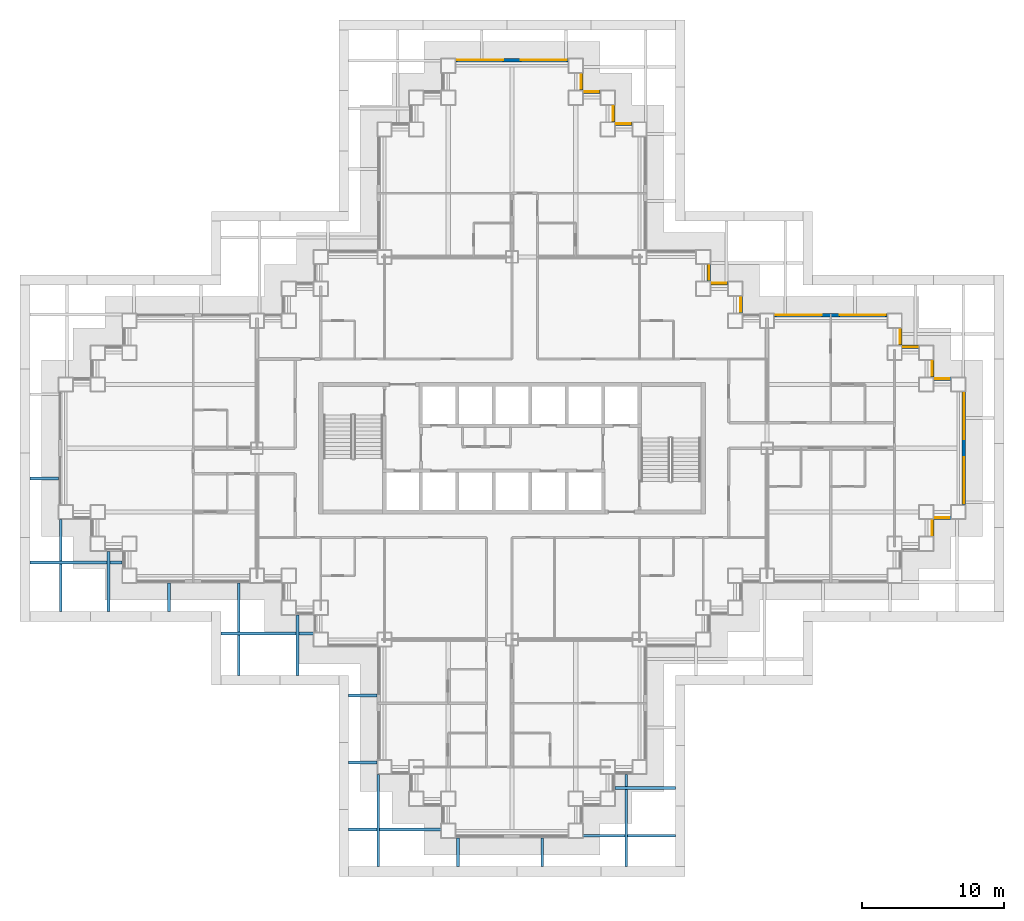
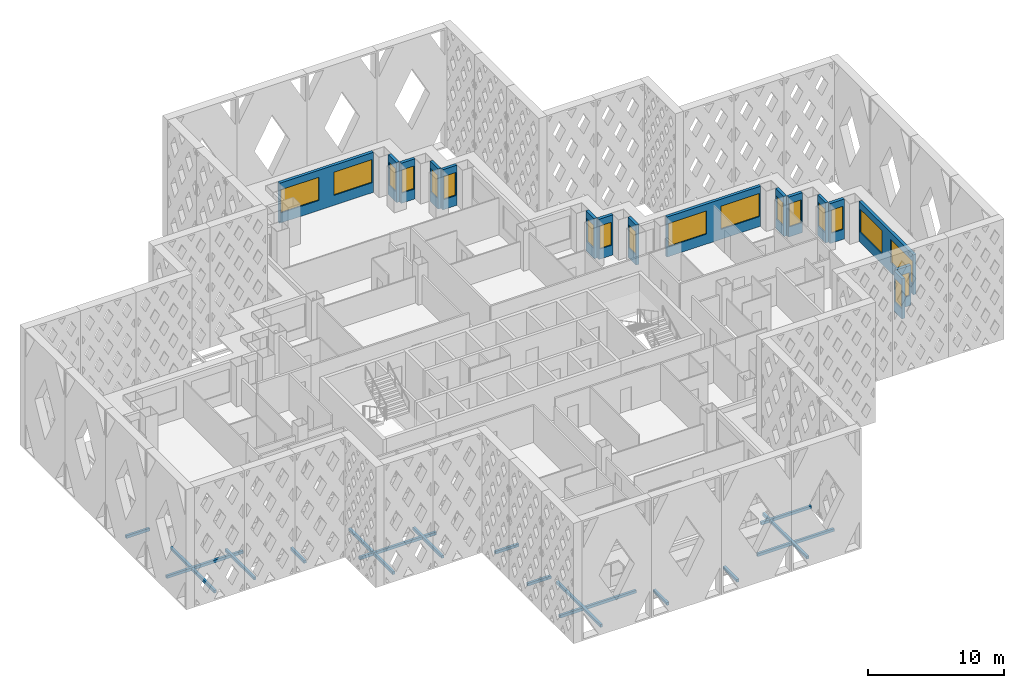
# One storey, part 9 of 19: 19 windows, 17 discrete accessories, 16 walls, 19 openings.
"""IFC4 building model written with IfcOpenShell, lengths in metres."""

from ifc_helpers import new_model, si_unit, direction, frame, frame_2d, origin, origin_2d, place, context, subcontext, project, spatial, rectangle, extrude, material, layer, layer_set, type_object, element, fill, save


model = new_model("IFC4")

# Units and contexts
model_context = context("Model", 3, precision=1e-05, world=origin(), true_north=direction((0.0, 1.0)))
body_context = subcontext(model_context, "Body", "Model", "MODEL_VIEW")
ifc_project = project(units=[si_unit("LENGTHUNIT", "METRE"), si_unit("AREAUNIT", "SQUARE_METRE"), si_unit("VOLUMEUNIT", "CUBIC_METRE"), si_unit("PLANEANGLEUNIT", "RADIAN"), si_unit("MASSUNIT", "GRAM", prefix="KILO")], contexts=[model_context])

# Site, building, storey
site_placement = place(None, origin())
site = spatial("IfcSite", under=ifc_project, at=site_placement, CompositionType="ELEMENT")
building_placement = place(site_placement, origin())
building = spatial("IfcBuilding", under=site, at=building_placement, Name="Caravel Reach Hotel and Residences", CompositionType="ELEMENT")
storey_placement = place(building_placement, frame((0.0, 0.0, 52.800048828125)))
storey = spatial("IfcBuildingStorey", under=building, at=storey_placement, Name="L11", CompositionType="ELEMENT", Elevation=52.800048828125)

# Wall, opening, window
ifc_material_1 = material(Name="Insulated rainscreen wall, aluminium cladding", Category="aluminium")
ifc_layer = layer(ifc_material_1, 0.25)
ifc_layer_set = layer_set([ifc_layer], Name="EW1 Tower rainscreen wall")
wall_type = type_object("IfcWallType", Name="EW1 Tower rainscreen wall", PredefinedType="SOLIDWALL", material=ifc_layer_set)
wall_1_placement = place(storey_placement, frame((61.14990234375, 20.77490234375, 0.0), z_axis=(0.0, 0.0, 1.0), x_axis=(0.0, 1.0, 0.0)))
wall_1 = element("IfcWall", 1, at=wall_1_placement, inside=storey, type_object=wall_type, Name="External wall L11 E18.1", PredefinedType="SOLIDWALL", context=body_context, shape_type="SweptSolid", body=[
    extrude(rectangle(XDim=1.2001953125, YDim=0.25, at=frame_2d((0.60009765625, 0.0))), origin(), (0.0, 0.0, 1.0), 3.599853515625),
])
opening_1_placement = place(wall_1_placement, frame((0.10009765625, 0.0, 0.89990234375)))
opening_1 = element("IfcOpeningElement", 2, at=opening_1_placement, cuts=wall_1, Name="Opening WN1", PredefinedType="OPENING", context=body_context, shape_type="SweptSolid", body=[
    extrude(rectangle(XDim=1.0, YDim=2.080078125, at=frame_2d((0.5, 1.0400390625))), frame((0.0, 0.135009765625, 0.0), z_axis=(0.0, -1.0, 0.0), x_axis=(1.0, 0.0, 0.0)), (0.0, 0.0, 1.0), 0.27001953125),
])
ifc_material_2 = material(Name="Dark low-e glazing in black aluminium frame", Category="aluminium")
window_type_1 = type_object("IfcWindowType", Name="Hotel suite corner window 1000 x 2080", PartitioningType="SINGLE_PANEL", PredefinedType="WINDOW", material=ifc_material_2)
window_1_placement = place(opening_1_placement, origin())
window_1 = element("IfcWindow", 3, at=window_1_placement, inside=storey, type_object=window_type_1, Name="Window L11 E18.1.1", OverallHeight=2.080078125, OverallWidth=1.0, PartitioningType="SINGLE_PANEL", PredefinedType="WINDOW", context=body_context, shape_type="SweptSolid", body=[
    extrude(rectangle(XDim=1.0, YDim=2.080078125, at=frame_2d((0.5, 1.0400390625))), frame((0.0, 0.030029296875, 0.0), z_axis=(0.0, -1.0, 0.0), x_axis=(1.0, 0.0, 0.0)), (0.0, 0.0, 1.0), 0.06005859375),
])
fill(opening_1, window_1)

wall_2_placement = place(storey_placement, frame((61.27490234375, 22.10009765625, 0.0), z_axis=(0.0, 0.0, 1.0), x_axis=(1.0, 0.0, 0.0)))
wall_2 = element("IfcWall", 4, at=wall_2_placement, inside=storey, type_object=wall_type, Name="External wall L11 S19.1", PredefinedType="SOLIDWALL", context=body_context, shape_type="SweptSolid", body=[
    extrude(rectangle(XDim=1.2001953125, YDim=0.25, at=frame_2d((0.60009765625, 0.0))), origin(), (0.0, 0.0, 1.0), 3.599853515625),
])
opening_2_placement = place(wall_2_placement, frame((0.10009765625, 0.0, 0.89990234375)))
opening_2 = element("IfcOpeningElement", 5, at=opening_2_placement, cuts=wall_2, Name="Opening WN1", PredefinedType="OPENING", context=body_context, shape_type="SweptSolid", body=[
    extrude(rectangle(XDim=1.0, YDim=2.080078125, at=frame_2d((0.5, 1.0400390625))), frame((0.0, 0.135009765625, 0.0), z_axis=(0.0, -1.0, 0.0), x_axis=(1.0, 0.0, 0.0)), (0.0, 0.0, 1.0), 0.27001953125),
])
window_2_placement = place(opening_2_placement, origin())
window_2 = element("IfcWindow", 6, at=window_2_placement, inside=storey, type_object=window_type_1, Name="Window L11 S19.1.1", OverallHeight=2.080078125, OverallWidth=1.0, PartitioningType="SINGLE_PANEL", PredefinedType="WINDOW", context=body_context, shape_type="SweptSolid", body=[
    extrude(rectangle(XDim=1.0, YDim=2.080078125, at=frame_2d((0.5, 1.0400390625))), frame((0.0, 0.030029296875, 0.0), z_axis=(0.0, -1.0, 0.0), x_axis=(1.0, 0.0, 0.0)), (0.0, 0.0, 1.0), 0.06005859375),
])
fill(opening_2, window_2)

# Wall, openings, windows
wall_3_placement = place(storey_placement, frame((63.39990234375, 23.02490234375, 0.0), z_axis=(0.0, 0.0, 1.0), x_axis=(0.0, 1.0, 0.0)))
wall_3 = element("IfcWall", 7, at=wall_3_placement, inside=storey, type_object=wall_type, Name="External wall L11 E20.1", PredefinedType="SOLIDWALL", context=body_context, shape_type="SweptSolid", body=[
    extrude(rectangle(XDim=7.9501953125, YDim=0.25, at=frame_2d((3.97509765625, 0.0))), origin(), (0.0, 0.0, 1.0), 3.599853515625),
])
opening_3_placement = place(wall_3_placement, frame((0.10009765625, 0.0, 0.89990234375)))
opening_3 = element("IfcOpeningElement", 8, at=opening_3_placement, cuts=wall_3, Name="Opening WN2", PredefinedType="OPENING", context=body_context, shape_type="SweptSolid", body=[
    extrude(rectangle(XDim=3.25, YDim=2.080078125, at=frame_2d((1.625, 1.0400390625))), frame((0.0, 0.135009765625, 0.0), z_axis=(0.0, -1.0, 0.0), x_axis=(1.0, 0.0, 0.0)), (0.0, 0.0, 1.0), 0.27001953125),
])
opening_4_placement = place(wall_3_placement, frame((4.60009765625, 0.0, 0.89990234375)))
opening_4 = element("IfcOpeningElement", 9, at=opening_4_placement, cuts=wall_3, Name="Opening WN2", PredefinedType="OPENING", context=body_context, shape_type="SweptSolid", body=[
    extrude(rectangle(XDim=3.25, YDim=2.080078125, at=frame_2d((1.625, 1.0400390625))), frame((0.0, 0.135009765625, 0.0), z_axis=(0.0, -1.0, 0.0), x_axis=(1.0, 0.0, 0.0)), (0.0, 0.0, 1.0), 0.27001953125),
])
ifc_material_3 = material(Name="Dark low-e glazing in black aluminium frame", Category="aluminium")
window_type_2 = type_object("IfcWindowType", Name="Hotel guest room window 3250 x 2080", PartitioningType="SINGLE_PANEL", PredefinedType="WINDOW", material=ifc_material_3)
window_3_placement = place(opening_3_placement, origin())
window_3 = element("IfcWindow", 10, at=window_3_placement, inside=storey, type_object=window_type_2, Name="Window L11 E20.1.1", OverallHeight=2.080078125, OverallWidth=3.25, PartitioningType="SINGLE_PANEL", PredefinedType="WINDOW", context=body_context, shape_type="SweptSolid", body=[
    extrude(rectangle(XDim=3.25, YDim=2.080078125, at=frame_2d((1.625, 1.0400390625))), frame((0.0, 0.030029296875, 0.0), z_axis=(0.0, -1.0, 0.0), x_axis=(1.0, 0.0, 0.0)), (0.0, 0.0, 1.0), 0.06005859375),
])
fill(opening_3, window_3)
window_4_placement = place(opening_4_placement, origin())
window_4 = element("IfcWindow", 11, at=window_4_placement, inside=storey, type_object=window_type_2, Name="Window L11 E20.1.2", OverallHeight=2.080078125, OverallWidth=3.25, PartitioningType="SINGLE_PANEL", PredefinedType="WINDOW", context=body_context, shape_type="SweptSolid", body=[
    extrude(rectangle(XDim=3.25, YDim=2.080078125, at=frame_2d((1.625, 1.0400390625))), frame((0.0, 0.030029296875, 0.0), z_axis=(0.0, -1.0, 0.0), x_axis=(1.0, 0.0, 0.0)), (0.0, 0.0, 1.0), 0.06005859375),
])
fill(opening_4, window_4)

# Wall, opening, window
wall_4_placement = place(storey_placement, frame((62.47509765625, 31.89990234375, 0.0), z_axis=(0.0, 0.0, 1.0), x_axis=(-1.0, 0.0, 0.0)))
wall_4 = element("IfcWall", 12, at=wall_4_placement, inside=storey, type_object=wall_type, Name="External wall L11 N21.1", PredefinedType="SOLIDWALL", context=body_context, shape_type="SweptSolid", body=[
    extrude(rectangle(XDim=1.2001953125, YDim=0.25, at=frame_2d((0.60009765625, 0.0))), origin(), (0.0, 0.0, 1.0), 3.599853515625),
])
opening_5_placement = place(wall_4_placement, frame((0.10009765625, 0.0, 0.89990234375)))
opening_5 = element("IfcOpeningElement", 13, at=opening_5_placement, cuts=wall_4, Name="Opening WN1", PredefinedType="OPENING", context=body_context, shape_type="SweptSolid", body=[
    extrude(rectangle(XDim=1.0, YDim=2.080078125, at=frame_2d((0.5, 1.0400390625))), frame((0.0, 0.135009765625, 0.0), z_axis=(0.0, -1.0, 0.0), x_axis=(1.0, 0.0, 0.0)), (0.0, 0.0, 1.0), 0.27001953125),
])
window_5_placement = place(opening_5_placement, origin())
window_5 = element("IfcWindow", 14, at=window_5_placement, inside=storey, type_object=window_type_1, Name="Window L11 N21.1.1", OverallHeight=2.080078125, OverallWidth=1.0, PartitioningType="SINGLE_PANEL", PredefinedType="WINDOW", context=body_context, shape_type="SweptSolid", body=[
    extrude(rectangle(XDim=1.0, YDim=2.080078125, at=frame_2d((0.5, 1.0400390625))), frame((0.0, 0.030029296875, 0.0), z_axis=(0.0, -1.0, 0.0), x_axis=(1.0, 0.0, 0.0)), (0.0, 0.0, 1.0), 0.06005859375),
])
fill(opening_5, window_5)

wall_5_placement = place(storey_placement, frame((61.14990234375, 32.02490234375, 0.0), z_axis=(0.0, 0.0, 1.0), x_axis=(0.0, 1.0, 0.0)))
wall_5 = element("IfcWall", 15, at=wall_5_placement, inside=storey, type_object=wall_type, Name="External wall L11 E22.1", PredefinedType="SOLIDWALL", context=body_context, shape_type="SweptSolid", body=[
    extrude(rectangle(XDim=1.2001953125, YDim=0.25, at=frame_2d((0.60009765625, 0.0))), origin(), (0.0, 0.0, 1.0), 3.599853515625),
])
opening_6_placement = place(wall_5_placement, frame((0.10009765625, 0.0, 0.89990234375)))
opening_6 = element("IfcOpeningElement", 16, at=opening_6_placement, cuts=wall_5, Name="Opening WN1", PredefinedType="OPENING", context=body_context, shape_type="SweptSolid", body=[
    extrude(rectangle(XDim=1.0, YDim=2.080078125, at=frame_2d((0.5, 1.0400390625))), frame((0.0, 0.135009765625, 0.0), z_axis=(0.0, -1.0, 0.0), x_axis=(1.0, 0.0, 0.0)), (0.0, 0.0, 1.0), 0.27001953125),
])
window_6_placement = place(opening_6_placement, origin())
window_6 = element("IfcWindow", 17, at=window_6_placement, inside=storey, type_object=window_type_1, Name="Window L11 E22.1.1", OverallHeight=2.080078125, OverallWidth=1.0, PartitioningType="SINGLE_PANEL", PredefinedType="WINDOW", context=body_context, shape_type="SweptSolid", body=[
    extrude(rectangle(XDim=1.0, YDim=2.080078125, at=frame_2d((0.5, 1.0400390625))), frame((0.0, 0.030029296875, 0.0), z_axis=(0.0, -1.0, 0.0), x_axis=(1.0, 0.0, 0.0)), (0.0, 0.0, 1.0), 0.06005859375),
])
fill(opening_6, window_6)

wall_6_placement = place(storey_placement, frame((60.22509765625, 34.14990234375, 0.0), z_axis=(0.0, 0.0, 1.0), x_axis=(-1.0, 0.0, 0.0)))
wall_6 = element("IfcWall", 18, at=wall_6_placement, inside=storey, type_object=wall_type, Name="External wall L11 N23.1", PredefinedType="SOLIDWALL", context=body_context, shape_type="SweptSolid", body=[
    extrude(rectangle(XDim=1.2001953125, YDim=0.25, at=frame_2d((0.60009765625, 0.0))), origin(), (0.0, 0.0, 1.0), 3.599853515625),
])
opening_7_placement = place(wall_6_placement, frame((0.10009765625, 0.0, 0.89990234375)))
opening_7 = element("IfcOpeningElement", 19, at=opening_7_placement, cuts=wall_6, Name="Opening WN1", PredefinedType="OPENING", context=body_context, shape_type="SweptSolid", body=[
    extrude(rectangle(XDim=1.0, YDim=2.080078125, at=frame_2d((0.5, 1.0400390625))), frame((0.0, 0.135009765625, 0.0), z_axis=(0.0, -1.0, 0.0), x_axis=(1.0, 0.0, 0.0)), (0.0, 0.0, 1.0), 0.27001953125),
])
window_7_placement = place(opening_7_placement, origin())
window_7 = element("IfcWindow", 20, at=window_7_placement, inside=storey, type_object=window_type_1, Name="Window L11 N23.1.1", OverallHeight=2.080078125, OverallWidth=1.0, PartitioningType="SINGLE_PANEL", PredefinedType="WINDOW", context=body_context, shape_type="SweptSolid", body=[
    extrude(rectangle(XDim=1.0, YDim=2.080078125, at=frame_2d((0.5, 1.0400390625))), frame((0.0, 0.030029296875, 0.0), z_axis=(0.0, -1.0, 0.0), x_axis=(1.0, 0.0, 0.0)), (0.0, 0.0, 1.0), 0.06005859375),
])
fill(opening_7, window_7)

wall_7_placement = place(storey_placement, frame((58.89990234375, 34.27490234375, 0.0), z_axis=(0.0, 0.0, 1.0), x_axis=(0.0, 1.0, 0.0)))
wall_7 = element("IfcWall", 21, at=wall_7_placement, inside=storey, type_object=wall_type, Name="External wall L11 E24.1", PredefinedType="SOLIDWALL", context=body_context, shape_type="SweptSolid", body=[
    extrude(rectangle(XDim=1.2001953125, YDim=0.25, at=frame_2d((0.60009765625, 0.0))), origin(), (0.0, 0.0, 1.0), 3.599853515625),
])
opening_8_placement = place(wall_7_placement, frame((0.10009765625, 0.0, 0.89990234375)))
opening_8 = element("IfcOpeningElement", 22, at=opening_8_placement, cuts=wall_7, Name="Opening WN1", PredefinedType="OPENING", context=body_context, shape_type="SweptSolid", body=[
    extrude(rectangle(XDim=1.0, YDim=2.080078125, at=frame_2d((0.5, 1.0400390625))), frame((0.0, 0.135009765625, 0.0), z_axis=(0.0, -1.0, 0.0), x_axis=(1.0, 0.0, 0.0)), (0.0, 0.0, 1.0), 0.27001953125),
])
window_8_placement = place(opening_8_placement, origin())
window_8 = element("IfcWindow", 23, at=window_8_placement, inside=storey, type_object=window_type_1, Name="Window L11 E24.1.1", OverallHeight=2.080078125, OverallWidth=1.0, PartitioningType="SINGLE_PANEL", PredefinedType="WINDOW", context=body_context, shape_type="SweptSolid", body=[
    extrude(rectangle(XDim=1.0, YDim=2.080078125, at=frame_2d((0.5, 1.0400390625))), frame((0.0, 0.030029296875, 0.0), z_axis=(0.0, -1.0, 0.0), x_axis=(1.0, 0.0, 0.0)), (0.0, 0.0, 1.0), 0.06005859375),
])
fill(opening_8, window_8)

# Wall, openings, windows
wall_8_placement = place(storey_placement, frame((57.97509765625, 36.39990234375, 0.0), z_axis=(0.0, 0.0, 1.0), x_axis=(-1.0, 0.0, 0.0)))
wall_8 = element("IfcWall", 24, at=wall_8_placement, inside=storey, type_object=wall_type, Name="External wall L11 N25.1", PredefinedType="SOLIDWALL", context=body_context, shape_type="SweptSolid", body=[
    extrude(rectangle(XDim=7.9501953125, YDim=0.25, at=frame_2d((3.97509765625, 0.0))), origin(), (0.0, 0.0, 1.0), 3.599853515625),
])
opening_9_placement = place(wall_8_placement, frame((0.10009765625, 0.0, 0.89990234375)))
opening_9 = element("IfcOpeningElement", 25, at=opening_9_placement, cuts=wall_8, Name="Opening WN2", PredefinedType="OPENING", context=body_context, shape_type="SweptSolid", body=[
    extrude(rectangle(XDim=3.25, YDim=2.080078125, at=frame_2d((1.625, 1.0400390625))), frame((0.0, 0.135009765625, 0.0), z_axis=(0.0, -1.0, 0.0), x_axis=(1.0, 0.0, 0.0)), (0.0, 0.0, 1.0), 0.27001953125),
])
opening_10_placement = place(wall_8_placement, frame((4.60009765625, 0.0, 0.89990234375)))
opening_10 = element("IfcOpeningElement", 26, at=opening_10_placement, cuts=wall_8, Name="Opening WN2", PredefinedType="OPENING", context=body_context, shape_type="SweptSolid", body=[
    extrude(rectangle(XDim=3.25, YDim=2.080078125, at=frame_2d((1.625, 1.0400390625))), frame((0.0, 0.135009765625, 0.0), z_axis=(0.0, -1.0, 0.0), x_axis=(1.0, 0.0, 0.0)), (0.0, 0.0, 1.0), 0.27001953125),
])
window_9_placement = place(opening_9_placement, origin())
window_9 = element("IfcWindow", 27, at=window_9_placement, inside=storey, type_object=window_type_2, Name="Window L11 N25.1.1", OverallHeight=2.080078125, OverallWidth=3.25, PartitioningType="SINGLE_PANEL", PredefinedType="WINDOW", context=body_context, shape_type="SweptSolid", body=[
    extrude(rectangle(XDim=3.25, YDim=2.080078125, at=frame_2d((1.625, 1.0400390625))), frame((0.0, 0.030029296875, 0.0), z_axis=(0.0, -1.0, 0.0), x_axis=(1.0, 0.0, 0.0)), (0.0, 0.0, 1.0), 0.06005859375),
])
fill(opening_9, window_9)
window_10_placement = place(opening_10_placement, origin())
window_10 = element("IfcWindow", 28, at=window_10_placement, inside=storey, type_object=window_type_2, Name="Window L11 N25.1.2", OverallHeight=2.080078125, OverallWidth=3.25, PartitioningType="SINGLE_PANEL", PredefinedType="WINDOW", context=body_context, shape_type="SweptSolid", body=[
    extrude(rectangle(XDim=3.25, YDim=2.080078125, at=frame_2d((1.625, 1.0400390625))), frame((0.0, 0.030029296875, 0.0), z_axis=(0.0, -1.0, 0.0), x_axis=(1.0, 0.0, 0.0)), (0.0, 0.0, 1.0), 0.06005859375),
])
fill(opening_10, window_10)

# Wall, opening, window
wall_9_placement = place(storey_placement, frame((47.64990234375, 36.52490234375, 0.0), z_axis=(0.0, 0.0, 1.0), x_axis=(0.0, 1.0, 0.0)))
wall_9 = element("IfcWall", 29, at=wall_9_placement, inside=storey, type_object=wall_type, Name="External wall L11 E26.1", PredefinedType="SOLIDWALL", context=body_context, shape_type="SweptSolid", body=[
    extrude(rectangle(XDim=1.2001953125, YDim=0.25, at=frame_2d((0.60009765625, 0.0))), origin(), (0.0, 0.0, 1.0), 3.599853515625),
])
opening_11_placement = place(wall_9_placement, frame((0.10009765625, 0.0, 0.89990234375)))
opening_11 = element("IfcOpeningElement", 30, at=opening_11_placement, cuts=wall_9, Name="Opening WN1", PredefinedType="OPENING", context=body_context, shape_type="SweptSolid", body=[
    extrude(rectangle(XDim=1.0, YDim=2.080078125, at=frame_2d((0.5, 1.0400390625))), frame((0.0, 0.135009765625, 0.0), z_axis=(0.0, -1.0, 0.0), x_axis=(1.0, 0.0, 0.0)), (0.0, 0.0, 1.0), 0.27001953125),
])
window_11_placement = place(opening_11_placement, origin())
window_11 = element("IfcWindow", 31, at=window_11_placement, inside=storey, type_object=window_type_1, Name="Window L11 E26.1.1", OverallHeight=2.080078125, OverallWidth=1.0, PartitioningType="SINGLE_PANEL", PredefinedType="WINDOW", context=body_context, shape_type="SweptSolid", body=[
    extrude(rectangle(XDim=1.0, YDim=2.080078125, at=frame_2d((0.5, 1.0400390625))), frame((0.0, 0.030029296875, 0.0), z_axis=(0.0, -1.0, 0.0), x_axis=(1.0, 0.0, 0.0)), (0.0, 0.0, 1.0), 0.06005859375),
])
fill(opening_11, window_11)

wall_10_placement = place(storey_placement, frame((46.72509765625, 38.64990234375, 0.0), z_axis=(0.0, 0.0, 1.0), x_axis=(-1.0, 0.0, 0.0)))
wall_10 = element("IfcWall", 32, at=wall_10_placement, inside=storey, type_object=wall_type, Name="External wall L11 N27.1", PredefinedType="SOLIDWALL", context=body_context, shape_type="SweptSolid", body=[
    extrude(rectangle(XDim=1.2001953125, YDim=0.25, at=frame_2d((0.60009765625, 0.0))), origin(), (0.0, 0.0, 1.0), 3.599853515625),
])
opening_12_placement = place(wall_10_placement, frame((0.10009765625, 0.0, 0.89990234375)))
opening_12 = element("IfcOpeningElement", 33, at=opening_12_placement, cuts=wall_10, Name="Opening WN1", PredefinedType="OPENING", context=body_context, shape_type="SweptSolid", body=[
    extrude(rectangle(XDim=1.0, YDim=2.080078125, at=frame_2d((0.5, 1.0400390625))), frame((0.0, 0.135009765625, 0.0), z_axis=(0.0, -1.0, 0.0), x_axis=(1.0, 0.0, 0.0)), (0.0, 0.0, 1.0), 0.27001953125),
])
window_12_placement = place(opening_12_placement, origin())
window_12 = element("IfcWindow", 34, at=window_12_placement, inside=storey, type_object=window_type_1, Name="Window L11 N27.1.1", OverallHeight=2.080078125, OverallWidth=1.0, PartitioningType="SINGLE_PANEL", PredefinedType="WINDOW", context=body_context, shape_type="SweptSolid", body=[
    extrude(rectangle(XDim=1.0, YDim=2.080078125, at=frame_2d((0.5, 1.0400390625))), frame((0.0, 0.030029296875, 0.0), z_axis=(0.0, -1.0, 0.0), x_axis=(1.0, 0.0, 0.0)), (0.0, 0.0, 1.0), 0.06005859375),
])
fill(opening_12, window_12)

wall_11_placement = place(storey_placement, frame((45.39990234375, 38.77490234375, 0.0), z_axis=(0.0, 0.0, 1.0), x_axis=(0.0, 1.0, 0.0)))
wall_11 = element("IfcWall", 35, at=wall_11_placement, inside=storey, type_object=wall_type, Name="External wall L11 E28.1", PredefinedType="SOLIDWALL", context=body_context, shape_type="SweptSolid", body=[
    extrude(rectangle(XDim=1.2001953125, YDim=0.25, at=frame_2d((0.60009765625, 0.0))), origin(), (0.0, 0.0, 1.0), 3.599853515625),
])
opening_13_placement = place(wall_11_placement, frame((0.10009765625, 0.0, 0.89990234375)))
opening_13 = element("IfcOpeningElement", 36, at=opening_13_placement, cuts=wall_11, Name="Opening WN1", PredefinedType="OPENING", context=body_context, shape_type="SweptSolid", body=[
    extrude(rectangle(XDim=1.0, YDim=2.080078125, at=frame_2d((0.5, 1.0400390625))), frame((0.0, 0.135009765625, 0.0), z_axis=(0.0, -1.0, 0.0), x_axis=(1.0, 0.0, 0.0)), (0.0, 0.0, 1.0), 0.27001953125),
])
window_13_placement = place(opening_13_placement, origin())
window_13 = element("IfcWindow", 37, at=window_13_placement, inside=storey, type_object=window_type_1, Name="Window L11 E28.1.1", OverallHeight=2.080078125, OverallWidth=1.0, PartitioningType="SINGLE_PANEL", PredefinedType="WINDOW", context=body_context, shape_type="SweptSolid", body=[
    extrude(rectangle(XDim=1.0, YDim=2.080078125, at=frame_2d((0.5, 1.0400390625))), frame((0.0, 0.030029296875, 0.0), z_axis=(0.0, -1.0, 0.0), x_axis=(1.0, 0.0, 0.0)), (0.0, 0.0, 1.0), 0.06005859375),
])
fill(opening_13, window_13)

wall_12_placement = place(storey_placement, frame((39.97509765625, 49.89990234375, 0.0), z_axis=(0.0, 0.0, 1.0), x_axis=(-1.0, 0.0, 0.0)))
wall_12 = element("IfcWall", 38, at=wall_12_placement, inside=storey, type_object=wall_type, Name="External wall L11 N31.1", PredefinedType="SOLIDWALL", context=body_context, shape_type="SweptSolid", body=[
    extrude(rectangle(XDim=1.2001953125, YDim=0.25, at=frame_2d((0.60009765625, 0.0))), origin(), (0.0, 0.0, 1.0), 3.599853515625),
])
opening_14_placement = place(wall_12_placement, frame((0.10009765625, 0.0, 0.89990234375)))
opening_14 = element("IfcOpeningElement", 39, at=opening_14_placement, cuts=wall_12, Name="Opening WN1", PredefinedType="OPENING", context=body_context, shape_type="SweptSolid", body=[
    extrude(rectangle(XDim=1.0, YDim=2.080078125, at=frame_2d((0.5, 1.0400390625))), frame((0.0, 0.135009765625, 0.0), z_axis=(0.0, -1.0, 0.0), x_axis=(1.0, 0.0, 0.0)), (0.0, 0.0, 1.0), 0.27001953125),
])
window_14_placement = place(opening_14_placement, origin())
window_14 = element("IfcWindow", 40, at=window_14_placement, inside=storey, type_object=window_type_1, Name="Window L11 N31.1.1", OverallHeight=2.080078125, OverallWidth=1.0, PartitioningType="SINGLE_PANEL", PredefinedType="WINDOW", context=body_context, shape_type="SweptSolid", body=[
    extrude(rectangle(XDim=1.0, YDim=2.080078125, at=frame_2d((0.5, 1.0400390625))), frame((0.0, 0.030029296875, 0.0), z_axis=(0.0, -1.0, 0.0), x_axis=(1.0, 0.0, 0.0)), (0.0, 0.0, 1.0), 0.06005859375),
])
fill(opening_14, window_14)

wall_13_placement = place(storey_placement, frame((38.64990234375, 50.02490234375, 0.0), z_axis=(0.0, 0.0, 1.0), x_axis=(0.0, 1.0, 0.0)))
wall_13 = element("IfcWall", 41, at=wall_13_placement, inside=storey, type_object=wall_type, Name="External wall L11 E32.1", PredefinedType="SOLIDWALL", context=body_context, shape_type="SweptSolid", body=[
    extrude(rectangle(XDim=1.2001953125, YDim=0.25, at=frame_2d((0.60009765625, 0.0))), origin(), (0.0, 0.0, 1.0), 3.599853515625),
])
opening_15_placement = place(wall_13_placement, frame((0.10009765625, 0.0, 0.89990234375)))
opening_15 = element("IfcOpeningElement", 42, at=opening_15_placement, cuts=wall_13, Name="Opening WN1", PredefinedType="OPENING", context=body_context, shape_type="SweptSolid", body=[
    extrude(rectangle(XDim=1.0, YDim=2.080078125, at=frame_2d((0.5, 1.0400390625))), frame((0.0, 0.135009765625, 0.0), z_axis=(0.0, -1.0, 0.0), x_axis=(1.0, 0.0, 0.0)), (0.0, 0.0, 1.0), 0.27001953125),
])
window_15_placement = place(opening_15_placement, origin())
window_15 = element("IfcWindow", 43, at=window_15_placement, inside=storey, type_object=window_type_1, Name="Window L11 E32.1.1", OverallHeight=2.080078125, OverallWidth=1.0, PartitioningType="SINGLE_PANEL", PredefinedType="WINDOW", context=body_context, shape_type="SweptSolid", body=[
    extrude(rectangle(XDim=1.0, YDim=2.080078125, at=frame_2d((0.5, 1.0400390625))), frame((0.0, 0.030029296875, 0.0), z_axis=(0.0, -1.0, 0.0), x_axis=(1.0, 0.0, 0.0)), (0.0, 0.0, 1.0), 0.06005859375),
])
fill(opening_15, window_15)

wall_14_placement = place(storey_placement, frame((37.72509765625, 52.14990234375, 0.0), z_axis=(0.0, 0.0, 1.0), x_axis=(-1.0, 0.0, 0.0)))
wall_14 = element("IfcWall", 44, at=wall_14_placement, inside=storey, type_object=wall_type, Name="External wall L11 N33.1", PredefinedType="SOLIDWALL", context=body_context, shape_type="SweptSolid", body=[
    extrude(rectangle(XDim=1.2001953125, YDim=0.25, at=frame_2d((0.60009765625, 0.0))), origin(), (0.0, 0.0, 1.0), 3.599853515625),
])
opening_16_placement = place(wall_14_placement, frame((0.10009765625, 0.0, 0.89990234375)))
opening_16 = element("IfcOpeningElement", 45, at=opening_16_placement, cuts=wall_14, Name="Opening WN1", PredefinedType="OPENING", context=body_context, shape_type="SweptSolid", body=[
    extrude(rectangle(XDim=1.0, YDim=2.080078125, at=frame_2d((0.5, 1.0400390625))), frame((0.0, 0.135009765625, 0.0), z_axis=(0.0, -1.0, 0.0), x_axis=(1.0, 0.0, 0.0)), (0.0, 0.0, 1.0), 0.27001953125),
])
window_16_placement = place(opening_16_placement, origin())
window_16 = element("IfcWindow", 46, at=window_16_placement, inside=storey, type_object=window_type_1, Name="Window L11 N33.1.1", OverallHeight=2.080078125, OverallWidth=1.0, PartitioningType="SINGLE_PANEL", PredefinedType="WINDOW", context=body_context, shape_type="SweptSolid", body=[
    extrude(rectangle(XDim=1.0, YDim=2.080078125, at=frame_2d((0.5, 1.0400390625))), frame((0.0, 0.030029296875, 0.0), z_axis=(0.0, -1.0, 0.0), x_axis=(1.0, 0.0, 0.0)), (0.0, 0.0, 1.0), 0.06005859375),
])
fill(opening_16, window_16)

wall_15_placement = place(storey_placement, frame((36.39990234375, 52.27490234375, 0.0), z_axis=(0.0, 0.0, 1.0), x_axis=(0.0, 1.0, 0.0)))
wall_15 = element("IfcWall", 47, at=wall_15_placement, inside=storey, type_object=wall_type, Name="External wall L11 E34.1", PredefinedType="SOLIDWALL", context=body_context, shape_type="SweptSolid", body=[
    extrude(rectangle(XDim=1.2001953125, YDim=0.25, at=frame_2d((0.60009765625, 0.0))), origin(), (0.0, 0.0, 1.0), 3.599853515625),
])
opening_17_placement = place(wall_15_placement, frame((0.10009765625, 0.0, 0.89990234375)))
opening_17 = element("IfcOpeningElement", 48, at=opening_17_placement, cuts=wall_15, Name="Opening WN1", PredefinedType="OPENING", context=body_context, shape_type="SweptSolid", body=[
    extrude(rectangle(XDim=1.0, YDim=2.080078125, at=frame_2d((0.5, 1.0400390625))), frame((0.0, 0.135009765625, 0.0), z_axis=(0.0, -1.0, 0.0), x_axis=(1.0, 0.0, 0.0)), (0.0, 0.0, 1.0), 0.27001953125),
])
window_17_placement = place(opening_17_placement, origin())
window_17 = element("IfcWindow", 49, at=window_17_placement, inside=storey, type_object=window_type_1, Name="Window L11 E34.1.1", OverallHeight=2.080078125, OverallWidth=1.0, PartitioningType="SINGLE_PANEL", PredefinedType="WINDOW", context=body_context, shape_type="SweptSolid", body=[
    extrude(rectangle(XDim=1.0, YDim=2.080078125, at=frame_2d((0.5, 1.0400390625))), frame((0.0, 0.030029296875, 0.0), z_axis=(0.0, -1.0, 0.0), x_axis=(1.0, 0.0, 0.0)), (0.0, 0.0, 1.0), 0.06005859375),
])
fill(opening_17, window_17)

# Wall, openings, windows
wall_16_placement = place(storey_placement, frame((35.47509765625, 54.39990234375, 0.0), z_axis=(0.0, 0.0, 1.0), x_axis=(-1.0, 0.0, 0.0)))
wall_16 = element("IfcWall", 50, at=wall_16_placement, inside=storey, type_object=wall_type, Name="External wall L11 N35.1", PredefinedType="SOLIDWALL", context=body_context, shape_type="SweptSolid", body=[
    extrude(rectangle(XDim=7.9501953125, YDim=0.25, at=frame_2d((3.97509765625, 0.0))), origin(), (0.0, 0.0, 1.0), 3.599853515625),
])
opening_18_placement = place(wall_16_placement, frame((0.10009765625, 0.0, 0.89990234375)))
opening_18 = element("IfcOpeningElement", 51, at=opening_18_placement, cuts=wall_16, Name="Opening WN2", PredefinedType="OPENING", context=body_context, shape_type="SweptSolid", body=[
    extrude(rectangle(XDim=3.25, YDim=2.080078125, at=frame_2d((1.625, 1.0400390625))), frame((0.0, 0.135009765625, 0.0), z_axis=(0.0, -1.0, 0.0), x_axis=(1.0, 0.0, 0.0)), (0.0, 0.0, 1.0), 0.27001953125),
])
opening_19_placement = place(wall_16_placement, frame((4.60009765625, 0.0, 0.89990234375)))
opening_19 = element("IfcOpeningElement", 52, at=opening_19_placement, cuts=wall_16, Name="Opening WN2", PredefinedType="OPENING", context=body_context, shape_type="SweptSolid", body=[
    extrude(rectangle(XDim=3.25, YDim=2.080078125, at=frame_2d((1.625, 1.0400390625))), frame((0.0, 0.135009765625, 0.0), z_axis=(0.0, -1.0, 0.0), x_axis=(1.0, 0.0, 0.0)), (0.0, 0.0, 1.0), 0.27001953125),
])
window_18_placement = place(opening_18_placement, origin())
window_18 = element("IfcWindow", 53, at=window_18_placement, inside=storey, type_object=window_type_2, Name="Window L11 N35.1.1", OverallHeight=2.080078125, OverallWidth=3.25, PartitioningType="SINGLE_PANEL", PredefinedType="WINDOW", context=body_context, shape_type="SweptSolid", body=[
    extrude(rectangle(XDim=3.25, YDim=2.080078125, at=frame_2d((1.625, 1.0400390625))), frame((0.0, 0.030029296875, 0.0), z_axis=(0.0, -1.0, 0.0), x_axis=(1.0, 0.0, 0.0)), (0.0, 0.0, 1.0), 0.06005859375),
])
fill(opening_18, window_18)
window_19_placement = place(opening_19_placement, origin())
window_19 = element("IfcWindow", 54, at=window_19_placement, inside=storey, type_object=window_type_2, Name="Window L11 N35.1.2", OverallHeight=2.080078125, OverallWidth=3.25, PartitioningType="SINGLE_PANEL", PredefinedType="WINDOW", context=body_context, shape_type="SweptSolid", body=[
    extrude(rectangle(XDim=3.25, YDim=2.080078125, at=frame_2d((1.625, 1.0400390625))), frame((0.0, 0.030029296875, 0.0), z_axis=(0.0, -1.0, 0.0), x_axis=(1.0, 0.0, 0.0)), (0.0, 0.0, 1.0), 0.06005859375),
])
fill(opening_19, window_19)

# Discrete accessories
ifc_material_4 = material(Name="Black powder-coated aluminium", Category="aluminium")
discrete_accessory_type = type_object("IfcDiscreteAccessoryType", Name="BR1 Screen bracket", PredefinedType="BRACKET", material=ifc_material_4)
for number, where, z_axis, x_axis, name in (
    (55, (20.97509765625, 9.554931640625, 0.099853515625), (0.0, 0.0, 1.0), (-1.0, 0.0, 0.0), "Screen bracket L11 1.1.1"),
    (56, (20.97509765625, 4.82177734375, 0.099853515625), (0.0, 0.0, 1.0), (-1.0, 0.0, 0.0), "Screen bracket L11 1.2.1"),
):
    element("IfcDiscreteAccessory", number, at=place(storey_placement, frame(where, z_axis=z_axis, x_axis=x_axis)), inside=storey, type_object=discrete_accessory_type, Name=name, PredefinedType="BRACKET", context=body_context, shape_type="SweptSolid", body=[
        extrude(rectangle(XDim=2.0, YDim=0.199951171875, at=origin_2d()), origin(), (0.0, 0.0, 1.0), 0.25),
    ])
for number, where, z_axis, x_axis, name in (
    (57, (23.22509765625, 0.08837890625, 0.099853515625), (0.0, 0.0, 1.0), (-1.0, 0.0, 0.0), "Screen bracket L11 1.3.1"),
    (58, (22.05615234375, 0.72509765625, 0.099853515625), (0.0, 0.0, 1.0), (0.0, -1.0, 0.0), "Screen bracket L11 2.1.1"),
):
    element("IfcDiscreteAccessory", number, at=place(storey_placement, frame(where, z_axis=z_axis, x_axis=x_axis)), inside=storey, type_object=discrete_accessory_type, Name=name, PredefinedType="BRACKET", context=body_context, shape_type="SweptSolid", body=[
        extrude(rectangle(XDim=6.5, YDim=0.199951171875, at=origin_2d()), origin(), (0.0, 0.0, 1.0), 0.25),
    ])
for number, where, z_axis, x_axis, name in (
    (59, (27.69384765625, -1.52490234375, 0.099853515625), (0.0, 0.0, 1.0), (0.0, -1.0, 0.0), "Screen bracket L11 2.2.1"),
    (60, (33.63134765625, -1.52490234375, 0.099853515625), (0.0, 0.0, 1.0), (0.0, -1.0, 0.0), "Screen bracket L11 2.3.1"),
):
    element("IfcDiscreteAccessory", number, at=place(storey_placement, frame(where, z_axis=z_axis, x_axis=x_axis)), inside=storey, type_object=discrete_accessory_type, Name=name, PredefinedType="BRACKET", context=body_context, shape_type="SweptSolid", body=[
        extrude(rectangle(XDim=2.0, YDim=0.199951171875, at=origin_2d()), origin(), (0.0, 0.0, 1.0), 0.25),
    ])
for number, where, z_axis, x_axis, name in (
    (61, (39.56884765625, 0.72509765625, 0.099853515625), (0.0, 0.0, 1.0), (0.0, -1.0, 0.0), "Screen bracket L11 2.4.1"),
    (62, (39.77490234375, -0.344970703125, 0.099853515625), (0.0, 0.0, 1.0), (1.0, 0.0, 0.0), "Screen bracket L11 3.1.1"),
):
    element("IfcDiscreteAccessory", number, at=place(storey_placement, frame(where, z_axis=z_axis, x_axis=x_axis)), inside=storey, type_object=discrete_accessory_type, Name=name, PredefinedType="BRACKET", context=body_context, shape_type="SweptSolid", body=[
        extrude(rectangle(XDim=6.5, YDim=0.199951171875, at=origin_2d()), origin(), (0.0, 0.0, 1.0), 0.25),
    ])
discrete_accessory_1_placement = place(storey_placement, frame((40.89990234375, 3.021728515625, 0.099853515625), z_axis=(0.0, 0.0, 1.0), x_axis=(1.0, 0.0, 0.0)))
element("IfcDiscreteAccessory", 63, at=discrete_accessory_1_placement, inside=storey, type_object=discrete_accessory_type, Name="Screen bracket L11 3.2.1", PredefinedType="BRACKET", context=body_context, shape_type="SweptSolid", body=[
    extrude(rectangle(XDim=4.25, YDim=0.199951171875, at=origin_2d()), origin(), (0.0, 0.0, 1.0), 0.25),
])
discrete_accessory_2_placement = place(storey_placement, frame((-1.52490234375, 24.86865234375, 0.099853515625), z_axis=(0.0, 0.0, 1.0), x_axis=(-1.0, 0.0, 0.0)))
element("IfcDiscreteAccessory", 64, at=discrete_accessory_2_placement, inside=storey, type_object=discrete_accessory_type, Name="Screen bracket L11 17.3.1", PredefinedType="BRACKET", context=body_context, shape_type="SweptSolid", body=[
    extrude(rectangle(XDim=2.0, YDim=0.199951171875, at=origin_2d()), origin(), (0.0, 0.0, 1.0), 0.25),
])
for number, where, z_axis, x_axis, name in (
    (65, (0.72509765625, 18.93115234375, 0.099853515625), (0.0, 0.0, 1.0), (-1.0, 0.0, 0.0), "Screen bracket L11 17.4.1"),
    (66, (-0.344970703125, 18.72509765625, 0.099853515625), (0.0, 0.0, 1.0), (0.0, -1.0, 0.0), "Screen bracket L11 18.1.1"),
):
    element("IfcDiscreteAccessory", number, at=place(storey_placement, frame(where, z_axis=z_axis, x_axis=x_axis)), inside=storey, type_object=discrete_accessory_type, Name=name, PredefinedType="BRACKET", context=body_context, shape_type="SweptSolid", body=[
        extrude(rectangle(XDim=6.5, YDim=0.199951171875, at=origin_2d()), origin(), (0.0, 0.0, 1.0), 0.25),
    ])
discrete_accessory_3_placement = place(storey_placement, frame((3.021728515625, 17.60009765625, 0.099853515625), z_axis=(0.0, 0.0, 1.0), x_axis=(0.0, -1.0, 0.0)))
element("IfcDiscreteAccessory", 67, at=discrete_accessory_3_placement, inside=storey, type_object=discrete_accessory_type, Name="Screen bracket L11 18.2.1", PredefinedType="BRACKET", context=body_context, shape_type="SweptSolid", body=[
    extrude(rectangle(XDim=4.25, YDim=0.199951171875, at=origin_2d()), origin(), (0.0, 0.0, 1.0), 0.25),
])
discrete_accessory_4_placement = place(storey_placement, frame((7.288330078125, 16.47509765625, 0.099853515625), z_axis=(0.0, 0.0, 1.0), x_axis=(0.0, -1.0, 0.0)))
element("IfcDiscreteAccessory", 68, at=discrete_accessory_4_placement, inside=storey, type_object=discrete_accessory_type, Name="Screen bracket L11 18.3.1", PredefinedType="BRACKET", context=body_context, shape_type="SweptSolid", body=[
    extrude(rectangle(XDim=2.0, YDim=0.199951171875, at=origin_2d()), origin(), (0.0, 0.0, 1.0), 0.25),
])
for number, where, z_axis, x_axis, name in (
    (69, (14.22509765625, 13.9150390625, 0.099853515625), (0.0, 0.0, 1.0), (-1.0, 0.0, 0.0), "Screen bracket L11 19.1.1"),
    (70, (12.219970703125, 14.22509765625, 0.099853515625), (0.0, 0.0, 1.0), (0.0, -1.0, 0.0), "Screen bracket L11 20.1.1"),
):
    element("IfcDiscreteAccessory", number, at=place(storey_placement, frame(where, z_axis=z_axis, x_axis=x_axis)), inside=storey, type_object=discrete_accessory_type, Name=name, PredefinedType="BRACKET", context=body_context, shape_type="SweptSolid", body=[
        extrude(rectangle(XDim=6.5, YDim=0.199951171875, at=origin_2d()), origin(), (0.0, 0.0, 1.0), 0.25),
    ])
discrete_accessory_5_placement = place(storey_placement, frame((16.3701171875, 13.10009765625, 0.099853515625), z_axis=(0.0, 0.0, 1.0), x_axis=(0.0, -1.0, 0.0)))
element("IfcDiscreteAccessory", 71, at=discrete_accessory_5_placement, inside=storey, type_object=discrete_accessory_type, Name="Screen bracket L11 20.2.1", PredefinedType="BRACKET", context=body_context, shape_type="SweptSolid", body=[
    extrude(rectangle(XDim=4.25, YDim=0.199951171875, at=origin_2d()), origin(), (0.0, 0.0, 1.0), 0.25),
])

save(model, "model.ifc")
